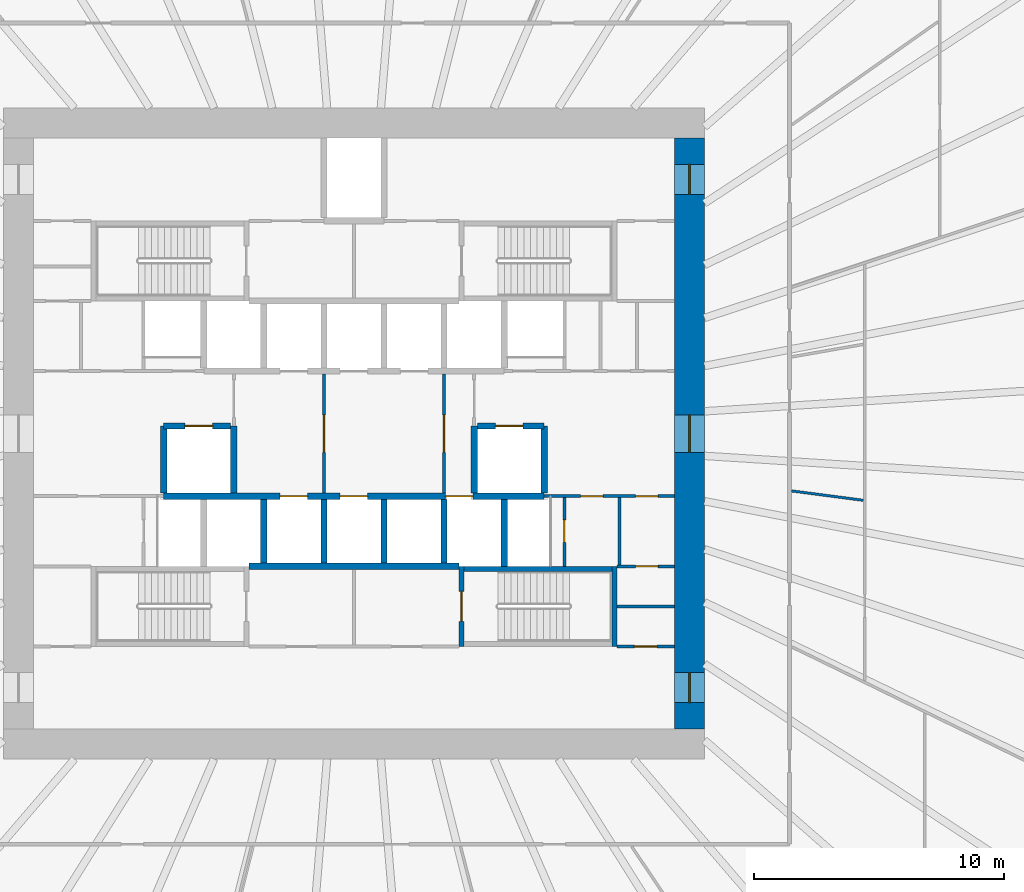
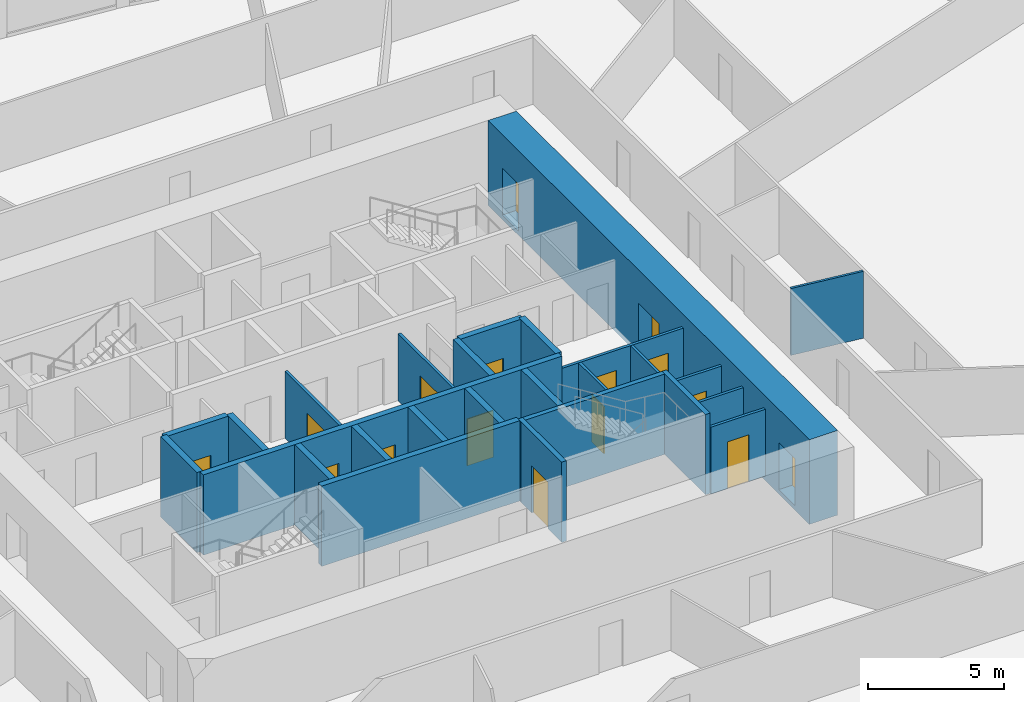
# One storey, part 7 of 11: 26 walls, 16 doors, 16 openings.
"""IFC4 building model written with IfcOpenShell, lengths in metres."""

from ifc_helpers import new_model, si_unit, direction, frame, frame_2d, origin, place, context, subcontext, project, spatial, rectangle, extrude, source, transform, mapped, material, layer, layer_set, type_object, element, fill, save


model = new_model("IFC4")

# Units and contexts
model_context = context("Model", 3, precision=1e-05, world=origin(), true_north=direction((0.0, 1.0)))
body_context = subcontext(model_context, "Body", "Model", "MODEL_VIEW")
ifc_project = project(units=[si_unit("LENGTHUNIT", "METRE"), si_unit("AREAUNIT", "SQUARE_METRE"), si_unit("VOLUMEUNIT", "CUBIC_METRE"), si_unit("PLANEANGLEUNIT", "RADIAN"), si_unit("MASSUNIT", "GRAM", prefix="KILO")], contexts=[model_context])

# Site, building, storey
site_placement = place(None, origin())
site = spatial("IfcSite", under=ifc_project, at=site_placement, CompositionType="ELEMENT")
building_placement = place(site_placement, origin())
building = spatial("IfcBuilding", under=site, at=building_placement, Name="Embergate Tower", CompositionType="ELEMENT")
storey_placement = place(building_placement, frame((0.0, 0.0, 49.699951171875)))
storey = spatial("IfcBuildingStorey", under=building, at=storey_placement, Name="L08", CompositionType="ELEMENT", Elevation=49.699951171875)

# Wall, openings, doors
ifc_material_1 = material(Name="Concrete C80", Category="concrete")
ifc_layer_1 = layer(ifc_material_1, 1.199951171875)
ifc_layer_set_1 = layer_set([ifc_layer_1], Name="Concrete C80")
wall_type_1 = type_object("IfcWallType", Name="Core outer wall C80 1200", PredefinedType="SHEAR", material=ifc_layer_set_1)
shared_shape_1 = source(origin(), body_context, "Body", "SweptSolid", [
    extrude(rectangle(XDim=23.60009765625, YDim=1.199951171875, at=frame_2d((11.800048828125, 0.0))), origin(), (0.0, 0.0, 1.0), 3.800048828125),
])
wall_1_placement = place(storey_placement, frame((13.39990234375, -11.800048828125, -0.199951171875), z_axis=(0.0, 0.0, 1.0), x_axis=(0.0, 1.0, 0.0)))
wall_1 = element("IfcWall", 1, at=wall_1_placement, inside=storey, type_object=wall_type_1, Name="CW-L08-E", PredefinedType="SHEAR", context=body_context, shape_type="MappedRepresentation", body=[
    mapped(shared_shape_1, transform((0.0, 0.0, 0.0))),
])
shared_shape_2 = source(origin(), body_context, "Body", "SweptSolid", [
    extrude(rectangle(XDim=1.199951171875, YDim=2.10009765625, at=frame_2d((0.60009765625, 1.050048828125))), frame((0.0, 0.60986328125, 0.0), z_axis=(0.0, -1.0, 0.0), x_axis=(1.0, 0.0, 0.0)), (0.0, 0.0, 1.0), 1.219970703125),
])
opening_1_placement = place(wall_1_placement, frame((21.35009765625, 0.0, 0.199951171875)))
opening_1 = element("IfcOpeningElement", 2, at=opening_1_placement, cuts=wall_1, Name="Opening IF-1", PredefinedType="OPENING", context=body_context, shape_type="MappedRepresentation", body=[
    mapped(shared_shape_2, transform((0.0, 0.0, 0.0))),
])
opening_2_placement = place(wall_1_placement, frame((1.050048828125, 0.0, 0.199951171875)))
opening_2 = element("IfcOpeningElement", 3, at=opening_2_placement, cuts=wall_1, Name="Opening IF-1", PredefinedType="OPENING", context=body_context, shape_type="MappedRepresentation", body=[
    mapped(shared_shape_2, transform((0.0, 0.0, 0.0))),
])
shared_shape_3 = source(origin(), body_context, "Body", "SweptSolid", [
    extrude(rectangle(XDim=1.5, YDim=2.10009765625, at=frame_2d((0.75, 1.050048828125))), frame((0.0, 0.60986328125, 0.0), z_axis=(0.0, -1.0, 0.0), x_axis=(1.0, 0.0, 0.0)), (0.0, 0.0, 1.0), 1.219970703125),
])
opening_3_placement = place(wall_1_placement, frame((11.050048828125, 0.0, 0.199951171875)))
opening_3 = element("IfcOpeningElement", 4, at=opening_3_placement, cuts=wall_1, Name="Opening IF-3", PredefinedType="OPENING", context=body_context, shape_type="MappedRepresentation", body=[
    mapped(shared_shape_3, transform((0.0, 0.0, 0.0))),
])
ifc_material_2 = material(Name="Escape fire door 1200")
door_type_1 = type_object("IfcDoorType", Name="Escape fire door 1200", OperationType="SINGLE_SWING_LEFT", PredefinedType="DOOR", material=ifc_material_2)
shared_shape_4 = source(origin(), body_context, "Body", "SweptSolid", [
    extrude(rectangle(XDim=1.199951171875, YDim=2.10009765625, at=frame_2d((0.60009765625, 1.050048828125))), frame((0.0, 0.02490234375, 0.0), z_axis=(0.0, -1.0, 0.0), x_axis=(1.0, 0.0, 0.0)), (0.0, 0.0, 1.0), 0.050048828125),
])
door_1_placement = place(opening_1_placement, origin())
door_1 = element("IfcDoor", 5, at=door_1_placement, inside=storey, type_object=door_type_1, Name="IF-1 door", OperationType="SINGLE_SWING_LEFT", OverallHeight=2.10009765625, OverallWidth=1.199951171875, PredefinedType="DOOR", context=body_context, shape_type="MappedRepresentation", body=[
    mapped(shared_shape_4, transform((0.0, 0.0, 0.0))),
])
fill(opening_1, door_1)
door_2_placement = place(opening_2_placement, origin())
door_2 = element("IfcDoor", 6, at=door_2_placement, inside=storey, type_object=door_type_1, Name="IF-1 door", OperationType="SINGLE_SWING_LEFT", OverallHeight=2.10009765625, OverallWidth=1.199951171875, PredefinedType="DOOR", context=body_context, shape_type="MappedRepresentation", body=[
    mapped(shared_shape_4, transform((0.0, 0.0, 0.0))),
])
fill(opening_2, door_2)
ifc_material_3 = material(Name="Lobby fire door pair 1500")
door_type_2 = type_object("IfcDoorType", Name="Lobby fire door pair 1500", OperationType="DOUBLE_DOOR_SINGLE_SWING", PredefinedType="DOOR", material=ifc_material_3)
shared_shape_5 = source(origin(), body_context, "Body", "SweptSolid", [
    extrude(rectangle(XDim=1.5, YDim=2.10009765625, at=frame_2d((0.75, 1.050048828125))), frame((0.0, 0.02490234375, 0.0), z_axis=(0.0, -1.0, 0.0), x_axis=(1.0, 0.0, 0.0)), (0.0, 0.0, 1.0), 0.050048828125),
])
door_3_placement = place(opening_3_placement, origin())
door_3 = element("IfcDoor", 7, at=door_3_placement, inside=storey, type_object=door_type_2, Name="IF-3 door", OperationType="DOUBLE_DOOR_SINGLE_SWING", OverallHeight=2.10009765625, OverallWidth=1.5, PredefinedType="DOOR", context=body_context, shape_type="MappedRepresentation", body=[
    mapped(shared_shape_5, transform((0.0, 0.0, 0.0))),
])
fill(opening_3, door_3)

# Walls
ifc_material_4 = material(Name="Partition dry-lined 100 wet")
ifc_layer_2 = layer(ifc_material_4, 0.10009765625)
ifc_layer_set_2 = layer_set([ifc_layer_2], Name="Partition dry-lined 100 wet")
wall_type_2 = type_object("IfcWallType", Name="Partition dry-lined 100 wet", PredefinedType="PLUMBINGWALL", material=ifc_layer_set_2)
shared_shape_6 = source(origin(), body_context, "Body", "SweptSolid", [
    extrude(rectangle(XDim=2.885498046875, YDim=0.10009765625, at=frame_2d((1.44287109375, 0.0))), origin(), (0.0, 0.0, 1.0), 3.0),
])
wall_2_placement = place(storey_placement, frame((17.48193359375, -2.2900390625, 0.0), z_axis=(0.0, 0.0, 1.0), x_axis=(0.991519542013, -0.12995767698, 0.0)))
element("IfcWall", 8, at=wall_2_placement, inside=storey, type_object=wall_type_2, Name="IP-1 wall", PredefinedType="PLUMBINGWALL", context=body_context, shape_type="MappedRepresentation", body=[
    mapped(shared_shape_6, transform((0.0, 0.0, 0.0))),
])
ifc_material_5 = material(Name="Concrete C50", Category="concrete")
ifc_layer_3 = layer(ifc_material_5, 0.25)
ifc_layer_set_3 = layer_set([ifc_layer_3], Name="Concrete C50")
wall_type_3 = type_object("IfcWallType", Name="Hoistway wall reinforced concrete 250", PredefinedType="SHEAR", material=ifc_layer_set_3)
shared_shape_7 = source(origin(), body_context, "Body", "SweptSolid", [
    extrude(rectangle(XDim=2.675048828125, YDim=0.25, at=frame_2d((1.33740234375, 0.0))), origin(), (0.0, 0.0, 1.0), 3.60009765625),
])
for number, where, z_axis, x_axis, name in (
    (9, (6.0, -5.300048828125, 0.0), (0.0, 0.0, 1.0), (0.0, 1.0, 0.0), "HW-1 wall"),
    (10, (-4.800048828125, 0.300048828125, 0.0), (0.0, 0.0, 1.0), (0.0, -1.0, 0.0), "HW-1 wall"),
    (11, (4.800048828125, -2.375, 0.0), (0.0, 0.0, 1.0), (0.0, 1.0, 0.0), "HW-1 wall"),
):
    element("IfcWall", number, at=place(storey_placement, frame(where, z_axis=z_axis, x_axis=x_axis)), inside=storey, type_object=wall_type_3, Name=name, PredefinedType="SHEAR", context=body_context, shape_type="MappedRepresentation", body=[
        mapped(shared_shape_7, transform((0.0, 0.0, 0.0))),
    ])

# Wall, opening, door
wall_3_placement = place(storey_placement, frame((-4.925048828125, 0.300048828125, 0.0), z_axis=(0.0, 0.0, 1.0), x_axis=(-1.0, 0.0, 0.0)))
wall_3 = element("IfcWall", 12, at=wall_3_placement, inside=storey, type_object=wall_type_3, Name="HW-1 wall", PredefinedType="SHEAR", context=body_context, shape_type="MappedRepresentation", body=[
    mapped(shared_shape_7, transform((0.0, 0.0, 0.0))),
])
shared_shape_8 = source(origin(), body_context, "Body", "SweptSolid", [
    extrude(rectangle(XDim=1.10009765625, YDim=2.10009765625, at=frame_2d((0.550048828125, 1.050048828125))), frame((0.0, 0.135009765625, 0.0), z_axis=(0.0, -1.0, 0.0), x_axis=(1.0, 0.0, 0.0)), (0.0, 0.0, 1.0), 0.27001953125),
])
opening_4_placement = place(wall_3_placement, frame((0.72509765625, 0.0, 0.0)))
opening_4 = element("IfcOpeningElement", 13, at=opening_4_placement, cuts=wall_3, Name="Opening LD", PredefinedType="OPENING", context=body_context, shape_type="MappedRepresentation", body=[
    mapped(shared_shape_8, transform((0.0, 0.0, 0.0))),
])
ifc_material_6 = material(Name="Landing door sliding 1100")
door_type_3 = type_object("IfcDoorType", Name="Landing door sliding 1100", OperationType="SLIDING_TO_LEFT", PredefinedType="DOOR", material=ifc_material_6)
shared_shape_9 = source(origin(), body_context, "Body", "SweptSolid", [
    extrude(rectangle(XDim=1.10009765625, YDim=2.10009765625, at=frame_2d((0.550048828125, 1.050048828125))), frame((0.0, 0.02490234375, 0.0), z_axis=(0.0, -1.0, 0.0), x_axis=(1.0, 0.0, 0.0)), (0.0, 0.0, 1.0), 0.050048828125),
])
door_4_placement = place(opening_4_placement, origin())
door_4 = element("IfcDoor", 14, at=door_4_placement, inside=storey, type_object=door_type_3, Name="LD door", OperationType="SLIDING_TO_RIGHT", OverallHeight=2.10009765625, OverallWidth=1.10009765625, PredefinedType="DOOR", context=body_context, shape_type="MappedRepresentation", body=[
    mapped(shared_shape_9, transform((0.0, 0.0, 0.0))),
])
fill(opening_4, door_4)

# Wall
wall_4_placement = place(storey_placement, frame((-7.60009765625, 0.300048828125, 0.0), z_axis=(0.0, 0.0, 1.0), x_axis=(0.0, -1.0, 0.0)))
element("IfcWall", 15, at=wall_4_placement, inside=storey, type_object=wall_type_3, Name="HW-1 wall", PredefinedType="SHEAR", context=body_context, shape_type="MappedRepresentation", body=[
    mapped(shared_shape_7, transform((0.0, 0.0, 0.0))),
])

# Wall, opening, door
wall_5_placement = place(storey_placement, frame((7.60009765625, 0.300048828125, 0.0), z_axis=(0.0, 0.0, 1.0), x_axis=(-1.0, 0.0, 0.0)))
wall_5 = element("IfcWall", 16, at=wall_5_placement, inside=storey, type_object=wall_type_3, Name="HW-1 wall", PredefinedType="SHEAR", context=body_context, shape_type="MappedRepresentation", body=[
    mapped(shared_shape_7, transform((0.0, 0.0, 0.0))),
])
opening_5_placement = place(wall_5_placement, frame((0.85009765625, 0.0, 0.0)))
opening_5 = element("IfcOpeningElement", 17, at=opening_5_placement, cuts=wall_5, Name="Opening LD", PredefinedType="OPENING", context=body_context, shape_type="MappedRepresentation", body=[
    mapped(shared_shape_8, transform((0.0, 0.0, 0.0))),
])
door_5_placement = place(opening_5_placement, origin())
door_5 = element("IfcDoor", 18, at=door_5_placement, inside=storey, type_object=door_type_3, Name="LD door", OperationType="SLIDING_TO_RIGHT", OverallHeight=2.10009765625, OverallWidth=1.10009765625, PredefinedType="DOOR", context=body_context, shape_type="MappedRepresentation", body=[
    mapped(shared_shape_9, transform((0.0, 0.0, 0.0))),
])
fill(opening_5, door_5)

# Walls
wall_6_placement = place(storey_placement, frame((7.60009765625, -2.375, 0.0), z_axis=(0.0, 0.0, 1.0), x_axis=(0.0, 1.0, 0.0)))
element("IfcWall", 19, at=wall_6_placement, inside=storey, type_object=wall_type_3, Name="HW-1 wall", PredefinedType="SHEAR", context=body_context, shape_type="MappedRepresentation", body=[
    mapped(shared_shape_7, transform((0.0, 0.0, 0.0))),
])
ifc_layer_4 = layer(ifc_material_5, 0.199951171875)
ifc_layer_set_4 = layer_set([ifc_layer_4], Name="Concrete C50")
wall_type_4 = type_object("IfcWallType", Name="Stair enclosure wall reinforced concrete 250", PredefinedType="SHEAR", material=ifc_layer_set_4)
shared_shape_10 = source(origin(), body_context, "Body", "SweptSolid", [
    extrude(rectangle(XDim=6.300048828125, YDim=0.199951171875, at=frame_2d((3.14990234375, 0.0))), origin(), (0.0, 0.0, 1.0), 3.60009765625),
])
wall_7_placement = place(storey_placement, frame((4.199951171875, -5.39990234375, 0.0), z_axis=(0.0, 0.0, 1.0), x_axis=(1.0, 0.0, 0.0)))
element("IfcWall", 20, at=wall_7_placement, inside=storey, type_object=wall_type_4, Name="SE-1 wall", PredefinedType="SHEAR", context=body_context, shape_type="MappedRepresentation", body=[
    mapped(shared_shape_10, transform((0.0, 0.0, 0.0))),
])

# Wall, opening, door
ifc_material_7 = material(Name="Core partition blockwork 120")
ifc_layer_5 = layer(ifc_material_7, 0.1201171875)
ifc_layer_set_5 = layer_set([ifc_layer_5], Name="Core partition blockwork 120")
wall_type_5 = type_object("IfcWallType", Name="Core partition blockwork 120", PredefinedType="PARTITIONING", material=ifc_layer_set_5)
shared_shape_11 = source(origin(), body_context, "Body", "SweptSolid", [
    extrude(rectangle(XDim=2.739990234375, YDim=0.1201171875, at=frame_2d((1.3701171875, 0.0))), origin(), (0.0, 0.0, 1.0), 3.0),
])
wall_8_placement = place(storey_placement, frame((8.39990234375, -5.300048828125, 0.0), z_axis=(0.0, 0.0, 1.0), x_axis=(0.0, 1.0, 0.0)))
wall_8 = element("IfcWall", 21, at=wall_8_placement, inside=storey, type_object=wall_type_5, Name="IP-3 wall", PredefinedType="PARTITIONING", context=body_context, shape_type="MappedRepresentation", body=[
    mapped(shared_shape_11, transform((0.0, 0.0, 0.0))),
])
shared_shape_12 = source(origin(), body_context, "Body", "SweptSolid", [
    extrude(rectangle(XDim=0.89990234375, YDim=2.10009765625, at=frame_2d((0.449951171875, 1.050048828125))), frame((0.0, 0.070068359375, 0.0), z_axis=(0.0, -1.0, 0.0), x_axis=(1.0, 0.0, 0.0)), (0.0, 0.0, 1.0), 0.14013671875),
])
opening_6_placement = place(wall_8_placement, frame((0.949951171875, 0.0, 0.0)))
opening_6 = element("IfcOpeningElement", 22, at=opening_6_placement, cuts=wall_8, Name="Opening ID-1", PredefinedType="OPENING", context=body_context, shape_type="MappedRepresentation", body=[
    mapped(shared_shape_12, transform((0.0, 0.0, 0.0))),
])
ifc_material_8 = material(Name="Interior door 900")
door_type_4 = type_object("IfcDoorType", Name="Interior door 900", OperationType="SINGLE_SWING_LEFT", PredefinedType="DOOR", material=ifc_material_8)
shared_shape_13 = source(origin(), body_context, "Body", "SweptSolid", [
    extrude(rectangle(XDim=0.89990234375, YDim=2.10009765625, at=frame_2d((0.449951171875, 1.050048828125))), frame((0.0, 0.02490234375, 0.0), z_axis=(0.0, -1.0, 0.0), x_axis=(1.0, 0.0, 0.0)), (0.0, 0.0, 1.0), 0.050048828125),
])
door_6_placement = place(opening_6_placement, origin())
door_6 = element("IfcDoor", 23, at=door_6_placement, inside=storey, type_object=door_type_4, Name="ID-1 door", OperationType="SINGLE_SWING_LEFT", OverallHeight=2.10009765625, OverallWidth=0.89990234375, PredefinedType="DOOR", context=body_context, shape_type="MappedRepresentation", body=[
    mapped(shared_shape_13, transform((0.0, 0.0, 0.0))),
])
fill(opening_6, door_6)

# Walls
shared_shape_14 = source(origin(), body_context, "Body", "SweptSolid", [
    extrude(rectangle(XDim=2.550048828125, YDim=0.25, at=frame_2d((1.27490234375, 0.0))), origin(), (0.0, 0.0, 1.0), 3.60009765625),
])
for number, where, z_axis, x_axis, name in (
    (24, (-3.60009765625, -5.175048828125, 0.0), (0.0, 0.0, 1.0), (0.0, 1.0, 0.0), "HW-1 wall"),
    (25, (-1.199951171875, -5.175048828125, 0.0), (0.0, 0.0, 1.0), (0.0, 1.0, 0.0), "HW-1 wall"),
    (26, (1.199951171875, -5.175048828125, 0.0), (0.0, 0.0, 1.0), (0.0, 1.0, 0.0), "HW-1 wall"),
    (27, (3.60009765625, -5.175048828125, 0.0), (0.0, 0.0, 1.0), (0.0, 1.0, 0.0), "HW-1 wall"),
):
    element("IfcWall", number, at=place(storey_placement, frame(where, z_axis=z_axis, x_axis=x_axis)), inside=storey, type_object=wall_type_3, Name=name, PredefinedType="SHEAR", context=body_context, shape_type="MappedRepresentation", body=[
        mapped(shared_shape_14, transform((0.0, 0.0, 0.0))),
    ])
shared_shape_15 = source(origin(), body_context, "Body", "SweptSolid", [
    extrude(rectangle(XDim=8.39990234375, YDim=0.25, at=frame_2d((4.199951171875, 0.0))), origin(), (0.0, 0.0, 1.0), 3.60009765625),
])
wall_9_placement = place(storey_placement, frame((-4.199951171875, -5.300048828125, 0.0), z_axis=(0.0, 0.0, 1.0), x_axis=(1.0, 0.0, 0.0)))
element("IfcWall", 28, at=wall_9_placement, inside=storey, type_object=wall_type_3, Name="HW-1 wall", PredefinedType="SHEAR", context=body_context, shape_type="MappedRepresentation", body=[
    mapped(shared_shape_15, transform((0.0, 0.0, 0.0))),
])

# Wall, openings, doors
shared_shape_16 = source(origin(), body_context, "Body", "SweptSolid", [
    extrude(rectangle(XDim=15.2001953125, YDim=0.25, at=frame_2d((7.60009765625, 0.0))), origin(), (0.0, 0.0, 1.0), 3.60009765625),
])
wall_10_placement = place(storey_placement, frame((7.60009765625, -2.5, 0.0), z_axis=(0.0, 0.0, 1.0), x_axis=(-1.0, 0.0, 0.0)))
wall_10 = element("IfcWall", 29, at=wall_10_placement, inside=storey, type_object=wall_type_3, Name="HW-1 wall", PredefinedType="SHEAR", context=body_context, shape_type="MappedRepresentation", body=[
    mapped(shared_shape_16, transform((0.0, 0.0, 0.0))),
])
opening_7_placement = place(wall_10_placement, frame((9.449951171875, 0.0, 0.0)))
opening_7 = element("IfcOpeningElement", 30, at=opening_7_placement, cuts=wall_10, Name="Opening LD", PredefinedType="OPENING", context=body_context, shape_type="MappedRepresentation", body=[
    mapped(shared_shape_8, transform((0.0, 0.0, 0.0))),
])
opening_8_placement = place(wall_10_placement, frame((7.050048828125, 0.0, 0.0)))
opening_8 = element("IfcOpeningElement", 31, at=opening_8_placement, cuts=wall_10, Name="Opening LD", PredefinedType="OPENING", context=body_context, shape_type="MappedRepresentation", body=[
    mapped(shared_shape_8, transform((0.0, 0.0, 0.0))),
])
opening_9_placement = place(wall_10_placement, frame((2.85009765625, 0.0, 0.0)))
opening_9 = element("IfcOpeningElement", 32, at=opening_9_placement, cuts=wall_10, Name="Opening LD", PredefinedType="OPENING", context=body_context, shape_type="MappedRepresentation", body=[
    mapped(shared_shape_8, transform((0.0, 0.0, 0.0))),
])
door_7_placement = place(opening_7_placement, origin())
door_7 = element("IfcDoor", 33, at=door_7_placement, inside=storey, type_object=door_type_3, Name="LD door", OperationType="SLIDING_TO_RIGHT", OverallHeight=2.10009765625, OverallWidth=1.10009765625, PredefinedType="DOOR", context=body_context, shape_type="MappedRepresentation", body=[
    mapped(shared_shape_9, transform((0.0, 0.0, 0.0))),
])
fill(opening_7, door_7)
door_8_placement = place(opening_8_placement, origin())
door_8 = element("IfcDoor", 34, at=door_8_placement, inside=storey, type_object=door_type_3, Name="LD door", OperationType="SLIDING_TO_LEFT", OverallHeight=2.10009765625, OverallWidth=1.10009765625, PredefinedType="DOOR", context=body_context, shape_type="MappedRepresentation", body=[
    mapped(shared_shape_9, transform((0.0, 0.0, 0.0))),
])
fill(opening_8, door_8)
door_9_placement = place(opening_9_placement, origin())
door_9 = element("IfcDoor", 35, at=door_9_placement, inside=storey, type_object=door_type_3, Name="LD door", OperationType="SLIDING_TO_LEFT", OverallHeight=2.10009765625, OverallWidth=1.10009765625, PredefinedType="DOOR", context=body_context, shape_type="MappedRepresentation", body=[
    mapped(shared_shape_9, transform((0.0, 0.0, 0.0))),
])
fill(opening_9, door_9)

shared_shape_17 = source(origin(), body_context, "Body", "SweptSolid", [
    extrude(rectangle(XDim=5.199951171875, YDim=0.1201171875, at=frame_2d((2.60009765625, 0.0))), origin(), (0.0, 0.0, 1.0), 3.0),
])
wall_11_placement = place(storey_placement, frame((12.800048828125, -2.5, 0.0), z_axis=(0.0, 0.0, 1.0), x_axis=(-1.0, 0.0, 0.0)))
wall_11 = element("IfcWall", 36, at=wall_11_placement, inside=storey, type_object=wall_type_5, Name="IP-3 wall", PredefinedType="PARTITIONING", context=body_context, shape_type="MappedRepresentation", body=[
    mapped(shared_shape_17, transform((0.0, 0.0, 0.0))),
])
opening_10_placement = place(wall_11_placement, frame((2.85009765625, 0.0, 0.0)))
opening_10 = element("IfcOpeningElement", 37, at=opening_10_placement, cuts=wall_11, Name="Opening ID-1", PredefinedType="OPENING", context=body_context, shape_type="MappedRepresentation", body=[
    mapped(shared_shape_12, transform((0.0, 0.0, 0.0))),
])
opening_11_placement = place(wall_11_placement, frame((0.64990234375, 0.0, 0.0)))
opening_11 = element("IfcOpeningElement", 38, at=opening_11_placement, cuts=wall_11, Name="Opening ID-1", PredefinedType="OPENING", context=body_context, shape_type="MappedRepresentation", body=[
    mapped(shared_shape_12, transform((0.0, 0.0, 0.0))),
])
door_10_placement = place(opening_10_placement, origin())
door_10 = element("IfcDoor", 39, at=door_10_placement, inside=storey, type_object=door_type_4, Name="ID-1 door", OperationType="SINGLE_SWING_RIGHT", OverallHeight=2.10009765625, OverallWidth=0.89990234375, PredefinedType="DOOR", context=body_context, shape_type="MappedRepresentation", body=[
    mapped(shared_shape_13, transform((0.0, 0.0, 0.0))),
])
fill(opening_10, door_10)
door_11_placement = place(opening_11_placement, origin())
door_11 = element("IfcDoor", 40, at=door_11_placement, inside=storey, type_object=door_type_4, Name="ID-1 door", OperationType="SINGLE_SWING_RIGHT", OverallHeight=2.10009765625, OverallWidth=0.89990234375, PredefinedType="DOOR", context=body_context, shape_type="MappedRepresentation", body=[
    mapped(shared_shape_13, transform((0.0, 0.0, 0.0))),
])
fill(opening_11, door_11)

# Wall, opening, door
shared_shape_18 = source(origin(), body_context, "Body", "SweptSolid", [
    extrude(rectangle(XDim=4.75, YDim=0.1201171875, at=frame_2d((2.375, 0.0))), origin(), (0.0, 0.0, 1.0), 3.0),
])
wall_12_placement = place(storey_placement, frame((-1.199951171875, -2.375, 0.0), z_axis=(0.0, 0.0, 1.0), x_axis=(0.0, 1.0, 0.0)))
wall_12 = element("IfcWall", 41, at=wall_12_placement, inside=storey, type_object=wall_type_5, Name="IP-3 wall", PredefinedType="PARTITIONING", context=body_context, shape_type="MappedRepresentation", body=[
    mapped(shared_shape_18, transform((0.0, 0.0, 0.0))),
])
shared_shape_19 = source(origin(), body_context, "Body", "SweptSolid", [
    extrude(rectangle(XDim=1.5, YDim=2.10009765625, at=frame_2d((0.75, 1.050048828125))), frame((0.0, 0.070068359375, 0.0), z_axis=(0.0, -1.0, 0.0), x_axis=(1.0, 0.0, 0.0)), (0.0, 0.0, 1.0), 0.14013671875),
])
opening_12_placement = place(wall_12_placement, frame((1.625, 0.0, 0.0)))
opening_12 = element("IfcOpeningElement", 42, at=opening_12_placement, cuts=wall_12, Name="Opening IF-3", PredefinedType="OPENING", context=body_context, shape_type="MappedRepresentation", body=[
    mapped(shared_shape_19, transform((0.0, 0.0, 0.0))),
])
door_12_placement = place(opening_12_placement, origin())
door_12 = element("IfcDoor", 43, at=door_12_placement, inside=storey, type_object=door_type_2, Name="IF-3 door", OperationType="DOUBLE_DOOR_SINGLE_SWING", OverallHeight=2.10009765625, OverallWidth=1.5, PredefinedType="DOOR", context=body_context, shape_type="MappedRepresentation", body=[
    mapped(shared_shape_5, transform((0.0, 0.0, 0.0))),
])
fill(opening_12, door_12)

wall_13_placement = place(storey_placement, frame((3.60009765625, -2.375, 0.0), z_axis=(0.0, 0.0, 1.0), x_axis=(0.0, 1.0, 0.0)))
wall_13 = element("IfcWall", 44, at=wall_13_placement, inside=storey, type_object=wall_type_5, Name="IP-3 wall", PredefinedType="PARTITIONING", context=body_context, shape_type="MappedRepresentation", body=[
    mapped(shared_shape_18, transform((0.0, 0.0, 0.0))),
])
opening_13_placement = place(wall_13_placement, frame((1.625, 0.0, 0.0)))
opening_13 = element("IfcOpeningElement", 45, at=opening_13_placement, cuts=wall_13, Name="Opening IF-3", PredefinedType="OPENING", context=body_context, shape_type="MappedRepresentation", body=[
    mapped(shared_shape_19, transform((0.0, 0.0, 0.0))),
])
door_13_placement = place(opening_13_placement, origin())
door_13 = element("IfcDoor", 46, at=door_13_placement, inside=storey, type_object=door_type_2, Name="IF-3 door", OperationType="DOUBLE_DOOR_SINGLE_SWING", OverallHeight=2.10009765625, OverallWidth=1.5, PredefinedType="DOOR", context=body_context, shape_type="MappedRepresentation", body=[
    mapped(shared_shape_5, transform((0.0, 0.0, 0.0))),
])
fill(opening_13, door_13)

shared_shape_20 = source(origin(), body_context, "Body", "SweptSolid", [
    extrude(rectangle(XDim=3.199951171875, YDim=0.199951171875, at=frame_2d((1.60009765625, 0.0))), origin(), (0.0, 0.0, 1.0), 3.60009765625),
])
wall_14_placement = place(storey_placement, frame((4.300048828125, -5.300048828125, 0.0), z_axis=(0.0, 0.0, 1.0), x_axis=(0.0, -1.0, 0.0)))
wall_14 = element("IfcWall", 47, at=wall_14_placement, inside=storey, type_object=wall_type_4, Name="SE-1 wall", PredefinedType="SHEAR", context=body_context, shape_type="MappedRepresentation", body=[
    mapped(shared_shape_20, transform((0.0, 0.0, 0.0))),
])
shared_shape_21 = source(origin(), body_context, "Body", "SweptSolid", [
    extrude(rectangle(XDim=1.199951171875, YDim=2.10009765625, at=frame_2d((0.60009765625, 1.050048828125))), frame((0.0, 0.10986328125, 0.0), z_axis=(0.0, -1.0, 0.0), x_axis=(1.0, 0.0, 0.0)), (0.0, 0.0, 1.0), 0.219970703125),
])
opening_14_placement = place(wall_14_placement, frame((1.0, 0.0, 0.0)))
opening_14 = element("IfcOpeningElement", 48, at=opening_14_placement, cuts=wall_14, Name="Opening IF-2", PredefinedType="OPENING", context=body_context, shape_type="MappedRepresentation", body=[
    mapped(shared_shape_21, transform((0.0, 0.0, 0.0))),
])
ifc_material_9 = material(Name="Stair enclosure door 1200")
door_type_5 = type_object("IfcDoorType", Name="Stair enclosure door 1200", OperationType="SINGLE_SWING_LEFT", PredefinedType="DOOR", material=ifc_material_9)
door_14_placement = place(opening_14_placement, origin())
door_14 = element("IfcDoor", 49, at=door_14_placement, inside=storey, type_object=door_type_5, Name="IF-2 door", OperationType="SINGLE_SWING_RIGHT", OverallHeight=2.10009765625, OverallWidth=1.199951171875, PredefinedType="DOOR", context=body_context, shape_type="MappedRepresentation", body=[
    mapped(shared_shape_4, transform((0.0, 0.0, 0.0))),
])
fill(opening_14, door_14)

# Wall
wall_15_placement = place(storey_placement, frame((10.39990234375, -8.5, 0.0), z_axis=(0.0, 0.0, 1.0), x_axis=(0.0, 1.0, 0.0)))
element("IfcWall", 50, at=wall_15_placement, inside=storey, type_object=wall_type_4, Name="SE-1 wall", PredefinedType="SHEAR", context=body_context, shape_type="MappedRepresentation", body=[
    mapped(shared_shape_20, transform((0.0, 0.0, 0.0))),
])

# Wall, opening, door
shared_shape_22 = source(origin(), body_context, "Body", "SweptSolid", [
    extrude(rectangle(XDim=2.300048828125, YDim=0.1201171875, at=frame_2d((1.14990234375, 0.0))), origin(), (0.0, 0.0, 1.0), 3.0),
])
wall_16_placement = place(storey_placement, frame((12.800048828125, -8.5, 0.0), z_axis=(0.0, 0.0, 1.0), x_axis=(-1.0, 0.0, 0.0)))
wall_16 = element("IfcWall", 51, at=wall_16_placement, inside=storey, type_object=wall_type_5, Name="IP-3 wall", PredefinedType="PARTITIONING", context=body_context, shape_type="MappedRepresentation", body=[
    mapped(shared_shape_22, transform((0.0, 0.0, 0.0))),
])
opening_15_placement = place(wall_16_placement, frame((0.699951171875, 0.0, 0.0)))
opening_15 = element("IfcOpeningElement", 52, at=opening_15_placement, cuts=wall_16, Name="Opening ID-1", PredefinedType="OPENING", context=body_context, shape_type="MappedRepresentation", body=[
    mapped(shared_shape_12, transform((0.0, 0.0, 0.0))),
])
door_15_placement = place(opening_15_placement, origin())
door_15 = element("IfcDoor", 53, at=door_15_placement, inside=storey, type_object=door_type_4, Name="ID-1 door", OperationType="SINGLE_SWING_RIGHT", OverallHeight=2.10009765625, OverallWidth=0.89990234375, PredefinedType="DOOR", context=body_context, shape_type="MappedRepresentation", body=[
    mapped(shared_shape_13, transform((0.0, 0.0, 0.0))),
])
fill(opening_15, door_15)

wall_17_placement = place(storey_placement, frame((10.5, -5.300048828125, 0.0), z_axis=(0.0, 0.0, 1.0), x_axis=(1.0, 0.0, 0.0)))
wall_17 = element("IfcWall", 54, at=wall_17_placement, inside=storey, type_object=wall_type_5, Name="IP-3 wall", PredefinedType="PARTITIONING", context=body_context, shape_type="MappedRepresentation", body=[
    mapped(shared_shape_22, transform((0.0, 0.0, 0.0))),
])
opening_16_placement = place(wall_17_placement, frame((0.75, 0.0, 0.0)))
opening_16 = element("IfcOpeningElement", 55, at=opening_16_placement, cuts=wall_17, Name="Opening ID-1", PredefinedType="OPENING", context=body_context, shape_type="MappedRepresentation", body=[
    mapped(shared_shape_12, transform((0.0, 0.0, 0.0))),
])
door_16_placement = place(opening_16_placement, origin())
door_16 = element("IfcDoor", 56, at=door_16_placement, inside=storey, type_object=door_type_4, Name="ID-1 door", OperationType="SINGLE_SWING_LEFT", OverallHeight=2.10009765625, OverallWidth=0.89990234375, PredefinedType="DOOR", context=body_context, shape_type="MappedRepresentation", body=[
    mapped(shared_shape_13, transform((0.0, 0.0, 0.0))),
])
fill(opening_16, door_16)

# Walls
wall_18_placement = place(storey_placement, frame((12.800048828125, -6.89990234375, 0.0), z_axis=(0.0, 0.0, 1.0), x_axis=(-1.0, 0.0, 0.0)))
element("IfcWall", 57, at=wall_18_placement, inside=storey, type_object=wall_type_5, Name="IP-3 wall", PredefinedType="PARTITIONING", context=body_context, shape_type="MappedRepresentation", body=[
    mapped(shared_shape_22, transform((0.0, 0.0, 0.0))),
])
shared_shape_23 = source(origin(), body_context, "Body", "SweptSolid", [
    extrude(rectangle(XDim=2.679931640625, YDim=0.1201171875, at=frame_2d((1.33984375, 0.0))), origin(), (0.0, 0.0, 1.0), 3.0),
])
wall_19_placement = place(storey_placement, frame((10.60009765625, -5.239990234375, 0.0), z_axis=(0.0, 0.0, 1.0), x_axis=(0.0, 1.0, 0.0)))
element("IfcWall", 58, at=wall_19_placement, inside=storey, type_object=wall_type_5, Name="IP-3 wall", PredefinedType="PARTITIONING", context=body_context, shape_type="MappedRepresentation", body=[
    mapped(shared_shape_23, transform((0.0, 0.0, 0.0))),
])

save(model, "model.ifc")
